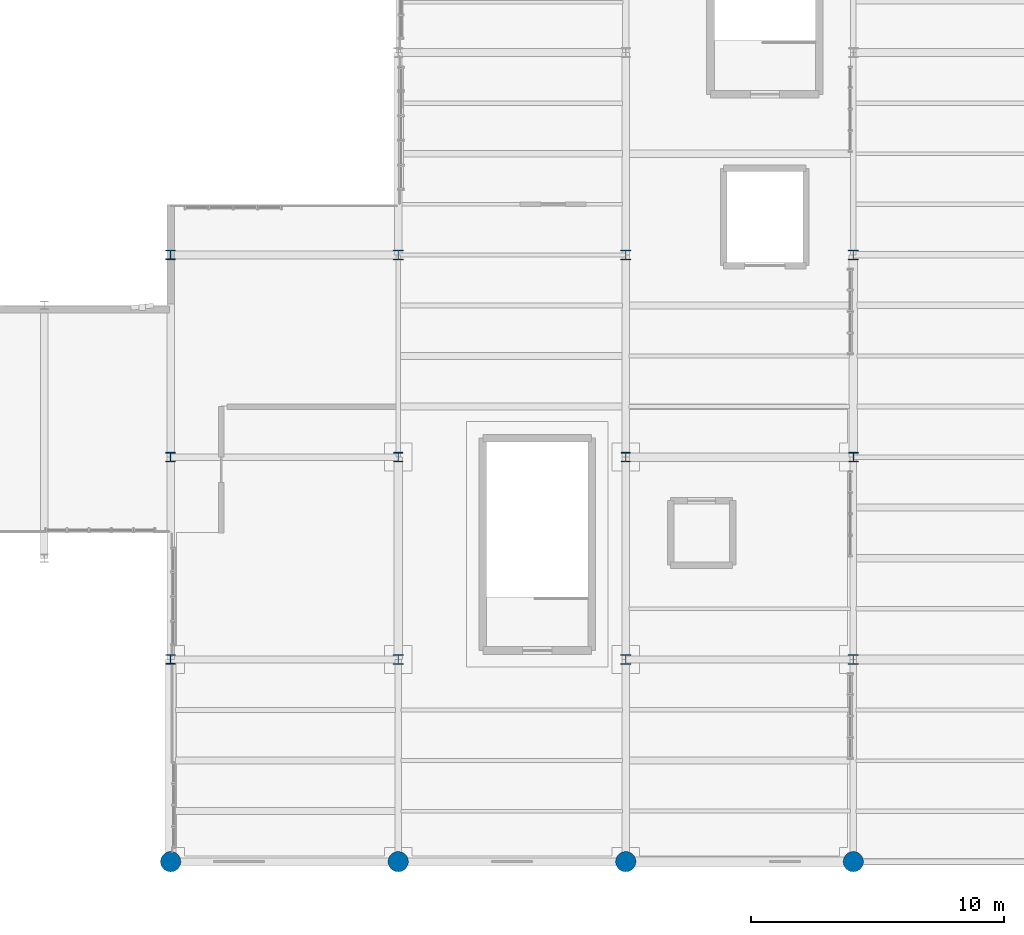
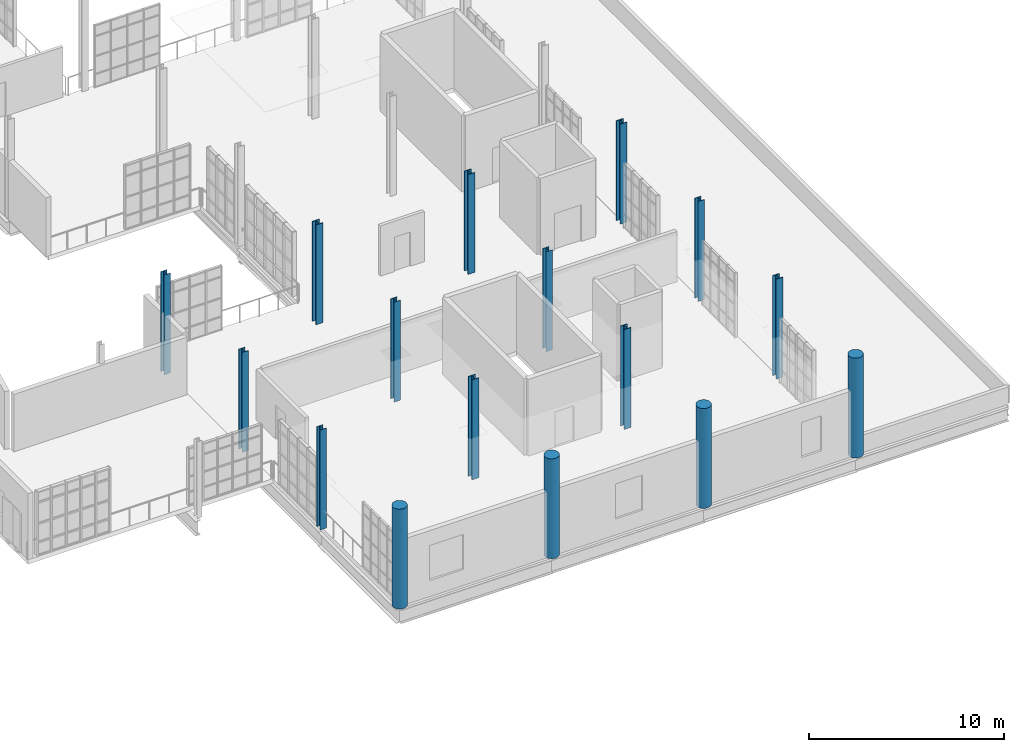
# One storey, part 3 of 118: 16 columns.
"""IFC4 building model written with IfcOpenShell, lengths in metres."""

from ifc_helpers import new_model, si_unit, direction, frame, origin, origin_2d, place, context, subcontext, project, spatial, circle, i_section, extrude, material, material_profile, profile_set, type_object, element, save


model = new_model("IFC4")

# Units and contexts
model_context = context("Model", 3, precision=1e-05, world=origin(), true_north=direction((0.0, 1.0)))
body_context = subcontext(model_context, "Body", "Model", "MODEL_VIEW")
ifc_project = project(units=[si_unit("LENGTHUNIT", "METRE"), si_unit("AREAUNIT", "SQUARE_METRE"), si_unit("VOLUMEUNIT", "CUBIC_METRE"), si_unit("PLANEANGLEUNIT", "RADIAN"), si_unit("MASSUNIT", "GRAM", prefix="KILO"), si_unit("THERMODYNAMICTEMPERATUREUNIT", "KELVIN"), si_unit("POWERUNIT", "WATT")], contexts=[model_context])

# Site, building, storey
site_placement = place(None, origin())
site = spatial("IfcSite", under=ifc_project, at=site_placement, CompositionType="ELEMENT")
building_placement = place(site_placement, origin())
building = spatial("IfcBuilding", under=site, at=building_placement, Name="Zelmaris Science Centre", CompositionType="ELEMENT")
storey_placement = place(building_placement, frame((0.0, 0.0, 15.60009765625)))
storey = spatial("IfcBuildingStorey", under=building, at=storey_placement, Name="L03", CompositionType="ELEMENT", Elevation=15.60009765625)

# Columns
ifc_material_1 = material(Name="Steel ASTM A992 Grade 50", Category="steel")
ifc_material_profile_1 = material_profile(ifc_material_1, i_section(OverallWidth=0.40087890625, OverallDepth=0.39892578125, WebThickness=0.02490234375, FlangeThickness=0.03955078125, FilletRadius=0.014892578125, at=origin_2d()), Name="W14X211")
ifc_profile_set_1 = profile_set([ifc_material_profile_1], Name="Steel ASTM A992 Grade 50")
column_type_1 = type_object("IfcColumnType", Name="Column C-03 W14X211", PredefinedType="COLUMN", material=ifc_profile_set_1)
for number, where, z_axis, x_axis, name in (
    (1, (117.0, 16.0, 0.0), (0.0, 0.0, 1.0), (1.0, 0.0, 0.0), "Column V4-C-117-16 L03"),
    (2, (117.0, 32.0, 0.0), (0.0, 0.0, 1.0), (1.0, 0.0, 0.0), "Column V4-C-117-32 L03"),
    (3, (126.0, 16.0, 0.0), (0.0, 0.0, 1.0), (1.0, 0.0, 0.0), "Column V4-C-126-16 L03"),
    (4, (126.0, 32.0, 0.0), (0.0, 0.0, 1.0), (1.0, 0.0, 0.0), "Column V4-C-126-32 L03"),
    (5, (135.0, 16.0, 0.0), (0.0, 0.0, 1.0), (1.0, 0.0, 0.0), "Column V4-C-135-16 L03"),
    (6, (135.0, 32.0, 0.0), (0.0, 0.0, 1.0), (1.0, 0.0, 0.0), "Column V4-C-135-32 L03"),
):
    element("IfcColumn", number, at=place(storey_placement, frame(where, z_axis=z_axis, x_axis=x_axis)), inside=storey, type_object=column_type_1, Name=name, PredefinedType="COLUMN", context=body_context, shape_type="SweptSolid", body=[
        extrude(i_section(OverallWidth=0.40087890625, OverallDepth=0.39892578125, WebThickness=0.02490234375, FlangeThickness=0.03955078125, FilletRadius=0.014892578125, at=origin_2d()), origin(), (0.0, 0.0, 1.0), 6.25),
    ])
ifc_material_profile_2 = material_profile(ifc_material_1, i_section(OverallWidth=0.373046875, OverallDepth=0.367919921875, WebThickness=0.014892578125, FlangeThickness=0.02392578125, FilletRadius=0.014892578125, at=origin_2d()), Name="W14X120")
ifc_profile_set_2 = profile_set([ifc_material_profile_2], Name="Steel ASTM A992 Grade 50")
column_type_2 = type_object("IfcColumnType", Name="Column C-06 W14X120", PredefinedType="COLUMN", material=ifc_profile_set_2)
for number, where, z_axis, x_axis, name in (
    (7, (108.0, 16.0, 0.0), (0.0, 0.0, 1.0), (1.0, 0.0, 0.0), "Column V4-C-108-16 L03"),
    (8, (108.0, 24.0, 0.0), (0.0, 0.0, 1.0), (1.0, 0.0, 0.0), "Column V4-C-108-24 L03"),
    (9, (108.0, 32.0, 0.0), (0.0, 0.0, 1.0), (1.0, 0.0, 0.0), "Column V4-C-108-32 L03"),
    (10, (117.0, 24.0, 0.0), (0.0, 0.0, 1.0), (1.0, 0.0, 0.0), "Column V4-C-117-24 L03"),
    (11, (126.0, 24.0, 0.0), (0.0, 0.0, 1.0), (1.0, 0.0, 0.0), "Column V4-C-126-24 L03"),
    (12, (135.0, 24.0, 0.0), (0.0, 0.0, 1.0), (1.0, 0.0, 0.0), "Column V4-C-135-24 L03"),
):
    element("IfcColumn", number, at=place(storey_placement, frame(where, z_axis=z_axis, x_axis=x_axis)), inside=storey, type_object=column_type_2, Name=name, PredefinedType="COLUMN", context=body_context, shape_type="SweptSolid", body=[
        extrude(i_section(OverallWidth=0.373046875, OverallDepth=0.367919921875, WebThickness=0.014892578125, FlangeThickness=0.02392578125, FilletRadius=0.014892578125, at=origin_2d()), origin(), (0.0, 0.0, 1.0), 6.25),
    ])
ifc_material_2 = material(Name="Yucatan limestone ashlar masonry", Category="masonry")
ifc_material_profile_3 = material_profile(ifc_material_2, circle(Radius=0.39990234375, at=origin_2d()), Name="COL-LIM-D800")
ifc_profile_set_3 = profile_set([ifc_material_profile_3], Name="Yucatan limestone ashlar masonry")
column_type_3 = type_object("IfcColumnType", Name="Column C-17 COL-LIM-D800", PredefinedType="COLUMN", material=ifc_profile_set_3)
for number, where, z_axis, x_axis, name in (
    (13, (108.0, 8.0, 0.0), (0.0, 0.0, 1.0), (1.0, 0.0, 0.0), "Column V4-C-108-8 L03"),
    (14, (117.0, 8.0, 0.0), (0.0, 0.0, 1.0), (1.0, 0.0, 0.0), "Column V4-C-117-8 L03"),
    (15, (126.0, 8.0, 0.0), (0.0, 0.0, 1.0), (1.0, 0.0, 0.0), "Column V4-C-126-8 L03"),
    (16, (135.0, 8.0, 0.0), (0.0, 0.0, 1.0), (1.0, 0.0, 0.0), "Column V4-C-135-8 L03"),
):
    element("IfcColumn", number, at=place(storey_placement, frame(where, z_axis=z_axis, x_axis=x_axis)), inside=storey, type_object=column_type_3, Name=name, PredefinedType="COLUMN", context=body_context, shape_type="SweptSolid", body=[
        extrude(circle(Radius=0.39990234375, at=origin_2d()), origin(), (0.0, 0.0, 1.0), 6.25),
    ])

save(model, "model.ifc")
